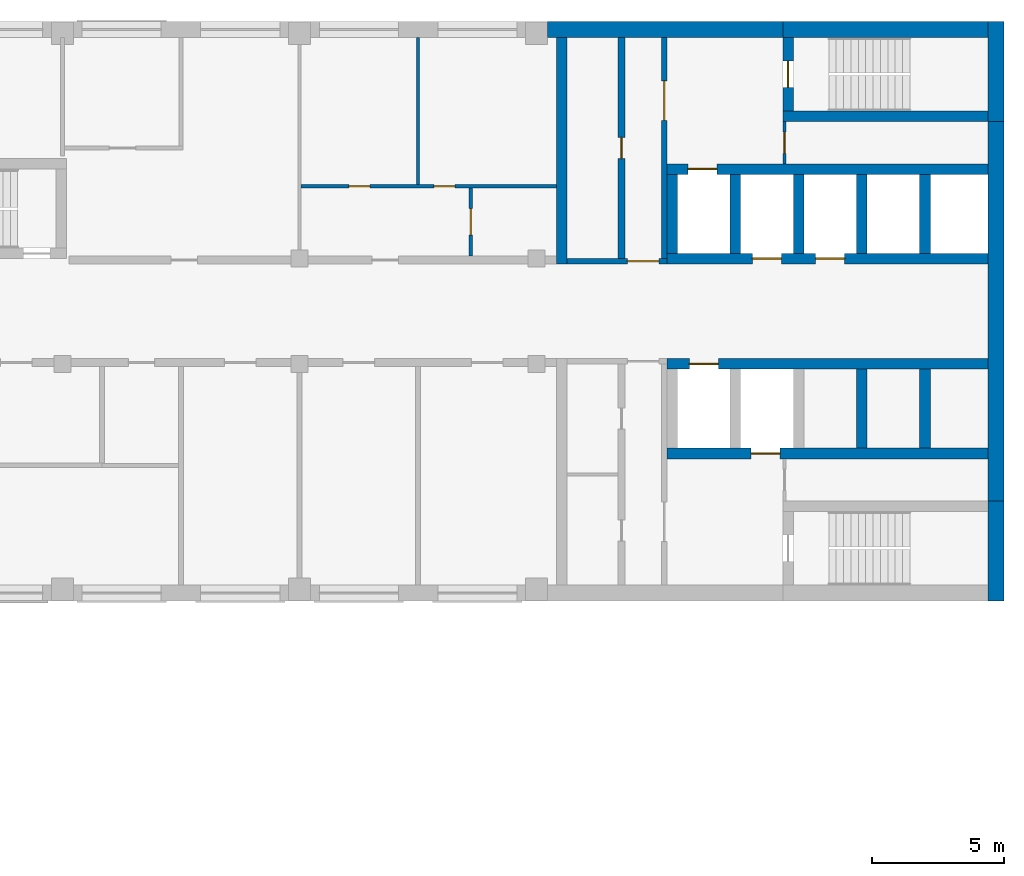
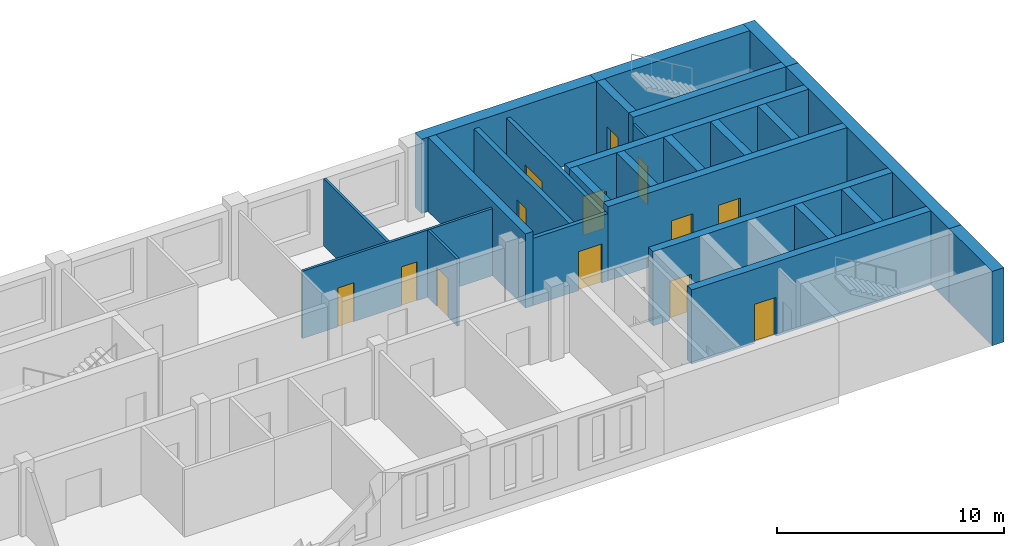
# One storey, part 6 of 8: 26 walls, 13 doors, 13 openings.
"""IFC4 building model written with IfcOpenShell, lengths in metres."""

from ifc_helpers import new_model, si_unit, direction, frame, frame_2d, origin, place, context, subcontext, project, spatial, rectangle, extrude, material, layer, layer_set, type_object, element, fill, save


model = new_model("IFC4")

# Units and contexts
model_context = context("Model", 3, precision=1e-05, world=origin(), true_north=direction((0.0, 1.0)))
body_context = subcontext(model_context, "Body", "Model", "MODEL_VIEW")
ifc_project = project(units=[si_unit("LENGTHUNIT", "METRE"), si_unit("AREAUNIT", "SQUARE_METRE"), si_unit("VOLUMEUNIT", "CUBIC_METRE"), si_unit("PLANEANGLEUNIT", "RADIAN"), si_unit("MASSUNIT", "GRAM", prefix="KILO")], contexts=[model_context])

# Site, building, storey
site_placement = place(None, origin())
site = spatial("IfcSite", under=ifc_project, at=site_placement, CompositionType="ELEMENT")
building_placement = place(site_placement, origin())
building = spatial("IfcBuilding", under=site, at=building_placement, Name="Skarvind Civic Tower", CompositionType="ELEMENT")
storey_placement = place(building_placement, frame((0.0, 0.0, 125.0)))
storey = spatial("IfcBuildingStorey", under=building, at=storey_placement, Name="L29", CompositionType="ELEMENT", Elevation=125.0)

# Wall, opening, door
ifc_material_1 = material(Name="Fire-rated masonry partition", Category="masonry")
ifc_layer_1 = layer(ifc_material_1, 0.199951171875)
ifc_layer_set_1 = layer_set([ifc_layer_1], Name="Core enclosure wall 200")
wall_type_1 = type_object("IfcWallType", Name="Core enclosure wall 200", PredefinedType="PARTITIONING", material=ifc_layer_set_1)
wall_1_placement = place(storey_placement, frame((91.39990234375, 129.89990234375, 0.0), z_axis=(0.0, 0.0, 1.0), x_axis=(1.0, 0.0, 0.0)))
wall_1 = element("IfcWall", 1, at=wall_1_placement, inside=storey, type_object=wall_type_1, Name="Core wall C1", PredefinedType="PARTITIONING", context=body_context, shape_type="SweptSolid", body=[
    extrude(rectangle(XDim=3.800048828125, YDim=0.199951171875, at=frame_2d((1.89990234375, 0.0))), origin(), (0.0, 0.0, 1.0), 3.625),
])
opening_1_placement = place(wall_1_placement, frame((2.300048828125, 0.0, 0.0)))
opening_1 = element("IfcOpeningElement", 2, at=opening_1_placement, cuts=wall_1, Name="Opening D-L29-C1-10", PredefinedType="OPENING", context=body_context, shape_type="SweptSolid", body=[
    extrude(rectangle(XDim=1.199951171875, YDim=2.10009765625, at=frame_2d((0.60009765625, 1.050048828125))), frame((0.0, 0.10986328125, 0.0), z_axis=(0.0, -1.0, 0.0), x_axis=(1.0, 0.0, 0.0)), (0.0, 0.0, 1.0), 0.219970703125),
])
ifc_material_2 = material(Name="Fire-rated steel door", Category="steel")
door_type_1 = type_object("IfcDoorType", Name="Core lobby door 1200", OperationType="NOTDEFINED", PredefinedType="DOOR", material=ifc_material_2)
door_1_placement = place(opening_1_placement, origin())
door_1 = element("IfcDoor", 3, at=door_1_placement, inside=storey, type_object=door_type_1, Name="Fire door", OperationType="DOUBLE_DOOR_SINGLE_SWING", OverallHeight=2.10009765625, OverallWidth=1.199951171875, PredefinedType="DOOR", context=body_context, shape_type="SweptSolid", body=[
    extrude(rectangle(XDim=1.199951171875, YDim=2.10009765625, at=frame_2d((0.60009765625, 1.050048828125))), frame((0.0, 0.02490234375, 0.0), z_axis=(0.0, -1.0, 0.0), x_axis=(1.0, 0.0, 0.0)), (0.0, 0.0, 1.0), 0.050048828125),
])
fill(opening_1, door_1)

wall_2_placement = place(storey_placement, frame((95.10009765625, 130.0, 0.0), z_axis=(0.0, 0.0, 1.0), x_axis=(0.0, 1.0, 0.0)))
wall_2 = element("IfcWall", 4, at=wall_2_placement, inside=storey, type_object=wall_type_1, Name="Core wall C1", PredefinedType="PARTITIONING", context=body_context, shape_type="SweptSolid", body=[
    extrude(rectangle(XDim=8.39990234375, YDim=0.199951171875, at=frame_2d((4.199951171875, 0.0))), origin(), (0.0, 0.0, 1.0), 3.625),
])
opening_2_placement = place(wall_2_placement, frame((5.25, 0.0, 0.0)))
opening_2 = element("IfcOpeningElement", 5, at=opening_2_placement, cuts=wall_2, Name="Opening D-L29-C1-11", PredefinedType="OPENING", context=body_context, shape_type="SweptSolid", body=[
    extrude(rectangle(XDim=1.5, YDim=2.10009765625, at=frame_2d((0.75, 1.050048828125))), frame((0.0, 0.10986328125, 0.0), z_axis=(0.0, -1.0, 0.0), x_axis=(1.0, 0.0, 0.0)), (0.0, 0.0, 1.0), 0.219970703125),
])
door_type_2 = type_object("IfcDoorType", Name="Fire door 1500", OperationType="NOTDEFINED", PredefinedType="DOOR", material=ifc_material_2)
door_2_placement = place(opening_2_placement, origin())
door_2 = element("IfcDoor", 6, at=door_2_placement, inside=storey, type_object=door_type_2, Name="Fire door", OperationType="DOUBLE_DOOR_SINGLE_SWING", OverallHeight=2.10009765625, OverallWidth=1.5, PredefinedType="DOOR", context=body_context, shape_type="SweptSolid", body=[
    extrude(rectangle(XDim=1.5, YDim=2.10009765625, at=frame_2d((0.75, 1.050048828125))), frame((0.0, 0.02490234375, 0.0), z_axis=(0.0, -1.0, 0.0), x_axis=(1.0, 0.0, 0.0)), (0.0, 0.0, 1.0), 0.050048828125),
])
fill(opening_2, door_2)

# Wall
ifc_material_3 = material(Name="Concrete C80", Category="concrete")
ifc_layer_2 = layer(ifc_material_3, 0.39990234375)
ifc_layer_set_2 = layer_set([ifc_layer_2], Name="Core wall 400 C80")
wall_type_2 = type_object("IfcWallType", Name="Core wall 400 C80", PredefinedType="SHEAR", material=ifc_layer_set_2)
wall_3_placement = place(storey_placement, frame((107.39990234375, 135.39990234375, 0.0), z_axis=(0.0, 0.0, 1.0), x_axis=(-1.0, 0.0, 0.0)))
element("IfcWall", 7, at=wall_3_placement, inside=storey, type_object=wall_type_2, Name="Core wall C1 south stair inner L29", PredefinedType="SHEAR", context=body_context, shape_type="SweptSolid", body=[
    extrude(rectangle(XDim=7.7998046875, YDim=0.39990234375, at=frame_2d((3.89990234375, 0.0))), origin(), (0.0, 0.0, 1.0), 4.0),
])

# Wall, opening, door
wall_4_placement = place(storey_placement, frame((99.800048828125, 138.39990234375, 0.0), z_axis=(0.0, 0.0, 1.0), x_axis=(0.0, -1.0, 0.0)))
wall_4 = element("IfcWall", 8, at=wall_4_placement, inside=storey, type_object=wall_type_2, Name="Core wall C1 south stair end L29", PredefinedType="SHEAR", context=body_context, shape_type="SweptSolid", body=[
    extrude(rectangle(XDim=2.7998046875, YDim=0.39990234375, at=frame_2d((1.39990234375, 0.0))), origin(), (0.0, 0.0, 1.0), 4.0),
])
opening_3_placement = place(wall_4_placement, frame((0.89990234375, 0.0, 0.0)))
opening_3 = element("IfcOpeningElement", 9, at=opening_3_placement, cuts=wall_4, Name="Opening D-L29-C1-12", PredefinedType="OPENING", context=body_context, shape_type="SweptSolid", body=[
    extrude(rectangle(XDim=1.0, YDim=2.10009765625, at=frame_2d((0.5, 1.050048828125))), frame((0.0, 0.2099609375, 0.0), z_axis=(0.0, -1.0, 0.0), x_axis=(1.0, 0.0, 0.0)), (0.0, 0.0, 1.0), 0.419921875),
])
door_type_3 = type_object("IfcDoorType", Name="Fire door 1000", OperationType="NOTDEFINED", PredefinedType="DOOR", material=ifc_material_2)
door_3_placement = place(opening_3_placement, origin())
door_3 = element("IfcDoor", 10, at=door_3_placement, inside=storey, type_object=door_type_3, Name="Fire door", OperationType="SINGLE_SWING_RIGHT", OverallHeight=2.10009765625, OverallWidth=1.0, PredefinedType="DOOR", context=body_context, shape_type="SweptSolid", body=[
    extrude(rectangle(XDim=1.0, YDim=2.10009765625, at=frame_2d((0.5, 1.050048828125))), frame((0.0, 0.02490234375, 0.0), z_axis=(0.0, -1.0, 0.0), x_axis=(1.0, 0.0, 0.0)), (0.0, 0.0, 1.0), 0.050048828125),
])
fill(opening_3, door_3)

# Wall, openings, doors
wall_5_placement = place(storey_placement, frame((107.39990234375, 130.0, 0.0), z_axis=(0.0, 0.0, 1.0), x_axis=(-1.0, 0.0, 0.0)))
wall_5 = element("IfcWall", 11, at=wall_5_placement, inside=storey, type_object=wall_type_2, Name="Core wall C1 south lift row front L29", PredefinedType="SHEAR", context=body_context, shape_type="SweptSolid", body=[
    extrude(rectangle(XDim=12.199951171875, YDim=0.39990234375, at=frame_2d((6.10009765625, 0.0))), origin(), (0.0, 0.0, 1.0), 4.0),
])
opening_4_placement = place(wall_5_placement, frame((5.449951171875, 0.0, 0.0)))
opening_4 = element("IfcOpeningElement", 12, at=opening_4_placement, cuts=wall_5, Name="Opening LD31108", PredefinedType="OPENING", context=body_context, shape_type="SweptSolid", body=[
    extrude(rectangle(XDim=1.10009765625, YDim=2.10009765625, at=frame_2d((0.550048828125, 1.050048828125))), frame((0.0, 0.2099609375, 0.0), z_axis=(0.0, -1.0, 0.0), x_axis=(1.0, 0.0, 0.0)), (0.0, 0.0, 1.0), 0.419921875),
])
opening_5_placement = place(wall_5_placement, frame((7.85009765625, 0.0, 0.0)))
opening_5 = element("IfcOpeningElement", 13, at=opening_5_placement, cuts=wall_5, Name="Opening LD31109", PredefinedType="OPENING", context=body_context, shape_type="SweptSolid", body=[
    extrude(rectangle(XDim=1.10009765625, YDim=2.10009765625, at=frame_2d((0.550048828125, 1.050048828125))), frame((0.0, 0.2099609375, 0.0), z_axis=(0.0, -1.0, 0.0), x_axis=(1.0, 0.0, 0.0)), (0.0, 0.0, 1.0), 0.419921875),
])
ifc_material_4 = material(Name="Stainless steel landing door", Category="steel")
door_type_4 = type_object("IfcDoorType", Name="Lift landing door 1100", OperationType="DOUBLE_DOOR_SLIDING", PredefinedType="DOOR", material=ifc_material_4)
door_4_placement = place(opening_4_placement, origin())
door_4 = element("IfcDoor", 14, at=door_4_placement, inside=storey, type_object=door_type_4, Name="Lift landing door", OperationType="DOUBLE_DOOR_SLIDING", OverallHeight=2.10009765625, OverallWidth=1.10009765625, PredefinedType="DOOR", context=body_context, shape_type="SweptSolid", body=[
    extrude(rectangle(XDim=1.10009765625, YDim=2.10009765625, at=frame_2d((0.550048828125, 1.050048828125))), frame((0.0, 0.02490234375, 0.0), z_axis=(0.0, -1.0, 0.0), x_axis=(1.0, 0.0, 0.0)), (0.0, 0.0, 1.0), 0.050048828125),
])
fill(opening_4, door_4)
door_5_placement = place(opening_5_placement, origin())
door_5 = element("IfcDoor", 15, at=door_5_placement, inside=storey, type_object=door_type_4, Name="Lift landing door", OperationType="DOUBLE_DOOR_SLIDING", OverallHeight=2.10009765625, OverallWidth=1.10009765625, PredefinedType="DOOR", context=body_context, shape_type="SweptSolid", body=[
    extrude(rectangle(XDim=1.10009765625, YDim=2.10009765625, at=frame_2d((0.550048828125, 1.050048828125))), frame((0.0, 0.02490234375, 0.0), z_axis=(0.0, -1.0, 0.0), x_axis=(1.0, 0.0, 0.0)), (0.0, 0.0, 1.0), 0.050048828125),
])
fill(opening_5, door_5)

# Wall, opening, door
wall_6_placement = place(storey_placement, frame((107.39990234375, 133.39990234375, 0.0), z_axis=(0.0, 0.0, 1.0), x_axis=(-1.0, 0.0, 0.0)))
wall_6 = element("IfcWall", 16, at=wall_6_placement, inside=storey, type_object=wall_type_2, Name="Core wall C1 south lift row back L29", PredefinedType="SHEAR", context=body_context, shape_type="SweptSolid", body=[
    extrude(rectangle(XDim=12.199951171875, YDim=0.39990234375, at=frame_2d((6.10009765625, 0.0))), origin(), (0.0, 0.0, 1.0), 4.0),
])
opening_6_placement = place(wall_6_placement, frame((10.300048828125, 0.0, 0.0)))
opening_6 = element("IfcOpeningElement", 17, at=opening_6_placement, cuts=wall_6, Name="Opening LD31110", PredefinedType="OPENING", context=body_context, shape_type="SweptSolid", body=[
    extrude(rectangle(XDim=1.10009765625, YDim=2.10009765625, at=frame_2d((0.550048828125, 1.050048828125))), frame((0.0, 0.2099609375, 0.0), z_axis=(0.0, -1.0, 0.0), x_axis=(1.0, 0.0, 0.0)), (0.0, 0.0, 1.0), 0.419921875),
])
door_6_placement = place(opening_6_placement, origin())
door_6 = element("IfcDoor", 18, at=door_6_placement, inside=storey, type_object=door_type_4, Name="Lift landing door", OperationType="DOUBLE_DOOR_SLIDING", OverallHeight=2.10009765625, OverallWidth=1.10009765625, PredefinedType="DOOR", context=body_context, shape_type="SweptSolid", body=[
    extrude(rectangle(XDim=1.10009765625, YDim=2.10009765625, at=frame_2d((0.550048828125, 1.050048828125))), frame((0.0, 0.02490234375, 0.0), z_axis=(0.0, -1.0, 0.0), x_axis=(1.0, 0.0, 0.0)), (0.0, 0.0, 1.0), 0.050048828125),
])
fill(opening_6, door_6)

# Walls
for number, where, z_axis, x_axis, name in (
    (19, (105.0, 133.199951171875, 0.0), (0.0, 0.0, 1.0), (0.0, -1.0, 0.0), "Core wall C1 south lift row division 1 L29"),
    (20, (102.60009765625, 133.199951171875, 0.0), (0.0, 0.0, 1.0), (0.0, -1.0, 0.0), "Core wall C1 south lift row division 2 L29"),
    (21, (100.199951171875, 133.199951171875, 0.0), (0.0, 0.0, 1.0), (0.0, -1.0, 0.0), "Core wall C1 south lift row division 3 L29"),
    (22, (97.800048828125, 133.199951171875, 0.0), (0.0, 0.0, 1.0), (0.0, -1.0, 0.0), "Core wall C1 south lift row division 4 L29"),
    (23, (95.39990234375, 133.199951171875, 0.0), (0.0, 0.0, 1.0), (0.0, -1.0, 0.0), "Core wall C1 south lift row division 5 L29"),
):
    element("IfcWall", number, at=place(storey_placement, frame(where, z_axis=z_axis, x_axis=x_axis)), inside=storey, type_object=wall_type_2, Name=name, PredefinedType="SHEAR", context=body_context, shape_type="SweptSolid", body=[
        extrude(rectangle(XDim=3.0, YDim=0.39990234375, at=frame_2d((1.5, 0.0))), origin(), (0.0, 0.0, 1.0), 4.0),
    ])

# Wall, opening, door
wall_7_placement = place(storey_placement, frame((107.39990234375, 126.0, 0.0), z_axis=(0.0, 0.0, 1.0), x_axis=(-1.0, 0.0, 0.0)))
wall_7 = element("IfcWall", 24, at=wall_7_placement, inside=storey, type_object=wall_type_2, Name="Core wall C1 north lift row front L29", PredefinedType="SHEAR", context=body_context, shape_type="SweptSolid", body=[
    extrude(rectangle(XDim=12.199951171875, YDim=0.39990234375, at=frame_2d((6.10009765625, 0.0))), origin(), (0.0, 0.0, 1.0), 4.0),
])
opening_7_placement = place(wall_7_placement, frame((10.25, 0.0, 0.0)))
opening_7 = element("IfcOpeningElement", 25, at=opening_7_placement, cuts=wall_7, Name="Opening LD31105", PredefinedType="OPENING", context=body_context, shape_type="SweptSolid", body=[
    extrude(rectangle(XDim=1.10009765625, YDim=2.10009765625, at=frame_2d((0.550048828125, 1.050048828125))), frame((0.0, 0.2099609375, 0.0), z_axis=(0.0, -1.0, 0.0), x_axis=(1.0, 0.0, 0.0)), (0.0, 0.0, 1.0), 0.419921875),
])
door_7_placement = place(opening_7_placement, origin())
door_7 = element("IfcDoor", 26, at=door_7_placement, inside=storey, type_object=door_type_4, Name="Lift landing door", OperationType="DOUBLE_DOOR_SLIDING", OverallHeight=2.10009765625, OverallWidth=1.10009765625, PredefinedType="DOOR", context=body_context, shape_type="SweptSolid", body=[
    extrude(rectangle(XDim=1.10009765625, YDim=2.10009765625, at=frame_2d((0.550048828125, 1.050048828125))), frame((0.0, 0.02490234375, 0.0), z_axis=(0.0, -1.0, 0.0), x_axis=(1.0, 0.0, 0.0)), (0.0, 0.0, 1.0), 0.050048828125),
])
fill(opening_7, door_7)

wall_8_placement = place(storey_placement, frame((107.39990234375, 122.60009765625, 0.0), z_axis=(0.0, 0.0, 1.0), x_axis=(-1.0, 0.0, 0.0)))
wall_8 = element("IfcWall", 27, at=wall_8_placement, inside=storey, type_object=wall_type_2, Name="Core wall C1 north lift row back L29", PredefinedType="SHEAR", context=body_context, shape_type="SweptSolid", body=[
    extrude(rectangle(XDim=12.199951171875, YDim=0.39990234375, at=frame_2d((6.10009765625, 0.0))), origin(), (0.0, 0.0, 1.0), 4.0),
])
opening_8_placement = place(wall_8_placement, frame((7.89990234375, 0.0, 0.0)))
opening_8 = element("IfcOpeningElement", 28, at=opening_8_placement, cuts=wall_8, Name="Opening LD31104", PredefinedType="OPENING", context=body_context, shape_type="SweptSolid", body=[
    extrude(rectangle(XDim=1.10009765625, YDim=2.10009765625, at=frame_2d((0.550048828125, 1.050048828125))), frame((0.0, 0.2099609375, 0.0), z_axis=(0.0, -1.0, 0.0), x_axis=(1.0, 0.0, 0.0)), (0.0, 0.0, 1.0), 0.419921875),
])
door_8_placement = place(opening_8_placement, origin())
door_8 = element("IfcDoor", 29, at=door_8_placement, inside=storey, type_object=door_type_4, Name="Lift landing door", OperationType="DOUBLE_DOOR_SLIDING", OverallHeight=2.10009765625, OverallWidth=1.10009765625, PredefinedType="DOOR", context=body_context, shape_type="SweptSolid", body=[
    extrude(rectangle(XDim=1.10009765625, YDim=2.10009765625, at=frame_2d((0.550048828125, 1.050048828125))), frame((0.0, 0.02490234375, 0.0), z_axis=(0.0, -1.0, 0.0), x_axis=(1.0, 0.0, 0.0)), (0.0, 0.0, 1.0), 0.050048828125),
])
fill(opening_8, door_8)

# Walls
for number, where, z_axis, x_axis, name in (
    (30, (105.0, 125.800048828125, 0.0), (0.0, 0.0, 1.0), (0.0, -1.0, 0.0), "Core wall C1 north lift row division 1 L29"),
    (31, (102.60009765625, 125.800048828125, 0.0), (0.0, 0.0, 1.0), (0.0, -1.0, 0.0), "Core wall C1 north lift row division 2 L29"),
):
    element("IfcWall", number, at=place(storey_placement, frame(where, z_axis=z_axis, x_axis=x_axis)), inside=storey, type_object=wall_type_2, Name=name, PredefinedType="SHEAR", context=body_context, shape_type="SweptSolid", body=[
        extrude(rectangle(XDim=3.0, YDim=0.39990234375, at=frame_2d((1.5, 0.0))), origin(), (0.0, 0.0, 1.0), 4.0),
    ])
wall_9_placement = place(storey_placement, frame((91.199951171875, 138.39990234375, 0.0), z_axis=(0.0, 0.0, 1.0), x_axis=(0.0, -1.0, 0.0)))
element("IfcWall", 32, at=wall_9_placement, inside=storey, type_object=wall_type_2, Name="Core wall C1 south inner face L29", PredefinedType="SHEAR", context=body_context, shape_type="SweptSolid", body=[
    extrude(rectangle(XDim=8.599853515625, YDim=0.39990234375, at=frame_2d((4.2998046875, 0.0))), origin(), (0.0, 0.0, 1.0), 4.0),
])
ifc_layer_3 = layer(ifc_material_3, 0.60009765625)
ifc_layer_set_3 = layer_set([ifc_layer_3], Name="Core wall 600 C80")
wall_type_3 = type_object("IfcWallType", Name="Core wall 600 C80", PredefinedType="SHEAR", material=ifc_layer_set_3)
wall_10_placement = place(storey_placement, frame((107.699951171875, 139.0, 0.0), z_axis=(0.0, 0.0, 1.0), x_axis=(0.0, -1.0, 0.0)))
element("IfcWall", 33, at=wall_10_placement, inside=storey, type_object=wall_type_3, Name="Core wall C1 tip at the south stair L29", PredefinedType="SHEAR", context=body_context, shape_type="SweptSolid", body=[
    extrude(rectangle(XDim=3.800048828125, YDim=0.60009765625, at=frame_2d((1.89990234375, 0.0))), origin(), (0.0, 0.0, 1.0), 4.0),
])
wall_11_placement = place(storey_placement, frame((107.699951171875, 135.199951171875, 0.0), z_axis=(0.0, 0.0, 1.0), x_axis=(0.0, -1.0, 0.0)))
element("IfcWall", 34, at=wall_11_placement, inside=storey, type_object=wall_type_3, Name="Core wall C1 tip between the stairs L29", PredefinedType="SHEAR", context=body_context, shape_type="SweptSolid", body=[
    extrude(rectangle(XDim=14.39990234375, YDim=0.60009765625, at=frame_2d((7.199951171875, 0.0))), origin(), (0.0, 0.0, 1.0), 4.0),
])
wall_12_placement = place(storey_placement, frame((107.699951171875, 120.800048828125, 0.0), z_axis=(0.0, 0.0, 1.0), x_axis=(0.0, -1.0, 0.0)))
element("IfcWall", 35, at=wall_12_placement, inside=storey, type_object=wall_type_3, Name="Core wall C1 tip at the north stair L29", PredefinedType="SHEAR", context=body_context, shape_type="SweptSolid", body=[
    extrude(rectangle(XDim=3.800048828125, YDim=0.60009765625, at=frame_2d((1.89990234375, 0.0))), origin(), (0.0, 0.0, 1.0), 4.0),
])
wall_13_placement = place(storey_placement, frame((107.39990234375, 138.699951171875, 0.0), z_axis=(0.0, 0.0, 1.0), x_axis=(-1.0, 0.0, 0.0)))
element("IfcWall", 36, at=wall_13_placement, inside=storey, type_object=wall_type_3, Name="Core wall C1 south side at the stair L29", PredefinedType="SHEAR", context=body_context, shape_type="SweptSolid", body=[
    extrude(rectangle(XDim=7.7998046875, YDim=0.60009765625, at=frame_2d((3.89990234375, 0.0))), origin(), (0.0, 0.0, 1.0), 4.0),
])
wall_14_placement = place(storey_placement, frame((99.60009765625, 138.699951171875, 0.0), z_axis=(0.0, 0.0, 1.0), x_axis=(-1.0, 0.0, 0.0)))
element("IfcWall", 37, at=wall_14_placement, inside=storey, type_object=wall_type_3, Name="Core wall C1 south side L29", PredefinedType="SHEAR", context=body_context, shape_type="SweptSolid", body=[
    extrude(rectangle(XDim=8.925048828125, YDim=0.60009765625, at=frame_2d((4.46240234375, 0.0))), origin(), (0.0, 0.0, 1.0), 4.0),
])

# Wall, opening, door
ifc_layer_4 = layer(ifc_material_1, 0.125)
ifc_layer_set_4 = layer_set([ifc_layer_4], Name="Riser wall 125")
wall_type_4 = type_object("IfcWallType", Name="Riser wall 125", PredefinedType="PARTITIONING", material=ifc_layer_set_4)
wall_15_placement = place(storey_placement, frame((99.66259765625, 133.60009765625, 0.0), z_axis=(0.0, 0.0, 1.0), x_axis=(0.0, 1.0, 0.0)))
wall_15 = element("IfcWall", 38, at=wall_15_placement, inside=storey, type_object=wall_type_4, Name="Core wall C1", PredefinedType="PARTITIONING", context=body_context, shape_type="SweptSolid", body=[
    extrude(rectangle(XDim=1.599853515625, YDim=0.125, at=frame_2d((0.7998046875, 0.0))), origin(), (0.0, 0.0, 1.0), 3.625),
])
opening_9_placement = place(wall_15_placement, frame((0.39990234375, 0.0, 0.0)))
opening_9 = element("IfcOpeningElement", 39, at=opening_9_placement, cuts=wall_15, Name="Opening D-L29-C1-13", PredefinedType="OPENING", context=body_context, shape_type="SweptSolid", body=[
    extrude(rectangle(XDim=0.800048828125, YDim=2.10009765625, at=frame_2d((0.39990234375, 1.050048828125))), frame((0.0, 0.072509765625, 0.0), z_axis=(0.0, -1.0, 0.0), x_axis=(1.0, 0.0, 0.0)), (0.0, 0.0, 1.0), 0.14501953125),
])
door_type_5 = type_object("IfcDoorType", Name="Core riser door 800", OperationType="NOTDEFINED", PredefinedType="DOOR", material=ifc_material_2)
door_9_placement = place(opening_9_placement, origin())
door_9 = element("IfcDoor", 40, at=door_9_placement, inside=storey, type_object=door_type_5, Name="Riser door", OperationType="SINGLE_SWING_LEFT", OverallHeight=2.10009765625, OverallWidth=0.800048828125, PredefinedType="DOOR", context=body_context, shape_type="SweptSolid", body=[
    extrude(rectangle(XDim=0.800048828125, YDim=2.10009765625, at=frame_2d((0.39990234375, 1.050048828125))), frame((0.0, 0.02490234375, 0.0), z_axis=(0.0, -1.0, 0.0), x_axis=(1.0, 0.0, 0.0)), (0.0, 0.0, 1.0), 0.050048828125),
])
fill(opening_9, door_9)

ifc_layer_5 = layer(ifc_material_1, 0.25)
ifc_layer_set_5 = layer_set([ifc_layer_5], Name="Service block wall 250")
wall_type_5 = type_object("IfcWallType", Name="Service block wall 250", PredefinedType="PARTITIONING", material=ifc_layer_set_5)
wall_16_placement = place(storey_placement, frame((93.47509765625, 130.0, 0.0), z_axis=(0.0, 0.0, 1.0), x_axis=(0.0, 1.0, 0.0)))
wall_16 = element("IfcWall", 41, at=wall_16_placement, inside=storey, type_object=wall_type_5, Name="Core wall C1", PredefinedType="PARTITIONING", context=body_context, shape_type="SweptSolid", body=[
    extrude(rectangle(XDim=8.39990234375, YDim=0.25, at=frame_2d((4.199951171875, 0.0))), origin(), (0.0, 0.0, 1.0), 3.625),
])
opening_10_placement = place(wall_16_placement, frame((3.800048828125, 0.0, 0.0)))
opening_10 = element("IfcOpeningElement", 42, at=opening_10_placement, cuts=wall_16, Name="Opening D-L29-C1-14", PredefinedType="OPENING", context=body_context, shape_type="SweptSolid", body=[
    extrude(rectangle(XDim=0.800048828125, YDim=2.10009765625, at=frame_2d((0.39990234375, 1.050048828125))), frame((0.0, 0.135009765625, 0.0), z_axis=(0.0, -1.0, 0.0), x_axis=(1.0, 0.0, 0.0)), (0.0, 0.0, 1.0), 0.27001953125),
])
door_10_placement = place(opening_10_placement, origin())
door_10 = element("IfcDoor", 43, at=door_10_placement, inside=storey, type_object=door_type_5, Name="Riser door", OperationType="SINGLE_SWING_RIGHT", OverallHeight=2.10009765625, OverallWidth=0.800048828125, PredefinedType="DOOR", context=body_context, shape_type="SweptSolid", body=[
    extrude(rectangle(XDim=0.800048828125, YDim=2.10009765625, at=frame_2d((0.39990234375, 1.050048828125))), frame((0.0, 0.02490234375, 0.0), z_axis=(0.0, -1.0, 0.0), x_axis=(1.0, 0.0, 0.0)), (0.0, 0.0, 1.0), 0.050048828125),
])
fill(opening_10, door_10)

# Wall, openings, doors
ifc_material_5 = material(Name="Moisture-resistant gypsum board on steel studs", Category="steel")
ifc_layer_6 = layer(ifc_material_5, 0.125)
ifc_layer_set_6 = layer_set([ifc_layer_6], Name="WC PARTITION 125")
wall_type_6 = type_object("IfcWallType", Name="WC PARTITION 125", PredefinedType="PARTITIONING", material=ifc_layer_set_6)
wall_17_placement = place(storey_placement, frame((81.31201171875, 132.75, 0.0), z_axis=(0.0, 0.0, 1.0), x_axis=(1.0, 0.0, 0.0)))
wall_17 = element("IfcWall", 44, at=wall_17_placement, inside=storey, type_object=wall_type_6, Name="Partition 29.034", PredefinedType="PARTITIONING", context=body_context, shape_type="SweptSolid", body=[
    extrude(rectangle(XDim=9.68798828125, YDim=0.125, at=frame_2d((4.843994140625, 0.0))), origin(), (0.0, 0.0, 1.0), 3.625),
])
opening_11_placement = place(wall_17_placement, frame((1.80908203125, 0.0, 0.0)))
opening_11 = element("IfcOpeningElement", 45, at=opening_11_placement, cuts=wall_17, Name="Opening L29-D003", PredefinedType="OPENING", context=body_context, shape_type="SweptSolid", body=[
    extrude(rectangle(XDim=0.800048828125, YDim=2.10009765625, at=frame_2d((0.39990234375, 1.050048828125))), frame((0.0, 0.072509765625, 0.0), z_axis=(0.0, -1.0, 0.0), x_axis=(1.0, 0.0, 0.0)), (0.0, 0.0, 1.0), 0.14501953125),
])
opening_12_placement = place(wall_17_placement, frame((5.03955078125, 0.0, 0.0)))
opening_12 = element("IfcOpeningElement", 46, at=opening_12_placement, cuts=wall_17, Name="Opening L29-D004", PredefinedType="OPENING", context=body_context, shape_type="SweptSolid", body=[
    extrude(rectangle(XDim=0.800048828125, YDim=2.10009765625, at=frame_2d((0.39990234375, 1.050048828125))), frame((0.0, 0.072509765625, 0.0), z_axis=(0.0, -1.0, 0.0), x_axis=(1.0, 0.0, 0.0)), (0.0, 0.0, 1.0), 0.14501953125),
])
ifc_material_6 = material(Name="Timber door leaf", Category="wood")
door_type_6 = type_object("IfcDoorType", Name="DOOR 800X2100 TIMBER", OperationType="NOTDEFINED", PredefinedType="DOOR", material=ifc_material_6)
door_11_placement = place(opening_11_placement, origin())
door_11 = element("IfcDoor", 47, at=door_11_placement, inside=storey, type_object=door_type_6, Name="Door L29-D003", OperationType="SINGLE_SWING_LEFT", OverallHeight=2.10009765625, OverallWidth=0.800048828125, PredefinedType="DOOR", context=body_context, shape_type="SweptSolid", body=[
    extrude(rectangle(XDim=0.800048828125, YDim=2.10009765625, at=frame_2d((0.39990234375, 1.050048828125))), frame((0.0, 0.02490234375, 0.0), z_axis=(0.0, -1.0, 0.0), x_axis=(1.0, 0.0, 0.0)), (0.0, 0.0, 1.0), 0.050048828125),
])
fill(opening_11, door_11)
door_12_placement = place(opening_12_placement, origin())
door_12 = element("IfcDoor", 48, at=door_12_placement, inside=storey, type_object=door_type_6, Name="Door L29-D004", OperationType="SINGLE_SWING_LEFT", OverallHeight=2.10009765625, OverallWidth=0.800048828125, PredefinedType="DOOR", context=body_context, shape_type="SweptSolid", body=[
    extrude(rectangle(XDim=0.800048828125, YDim=2.10009765625, at=frame_2d((0.39990234375, 1.050048828125))), frame((0.0, 0.02490234375, 0.0), z_axis=(0.0, -1.0, 0.0), x_axis=(1.0, 0.0, 0.0)), (0.0, 0.0, 1.0), 0.050048828125),
])
fill(opening_12, door_12)

# Wall
wall_18_placement = place(storey_placement, frame((85.75, 132.81201171875, 0.0), z_axis=(0.0, 0.0, 1.0), x_axis=(0.0, 1.0, 0.0)))
element("IfcWall", 49, at=wall_18_placement, inside=storey, type_object=wall_type_6, Name="Partition 29.036", PredefinedType="PARTITIONING", context=body_context, shape_type="SweptSolid", body=[
    extrude(rectangle(XDim=5.587890625, YDim=0.125, at=frame_2d((2.7939453125, 0.0))), origin(), (0.0, 0.0, 1.0), 3.625),
])

# Wall, opening, door
wall_19_placement = place(storey_placement, frame((87.75, 132.68798828125, 0.0), z_axis=(0.0, 0.0, 1.0), x_axis=(0.0, -1.0, 0.0)))
wall_19 = element("IfcWall", 50, at=wall_19_placement, inside=storey, type_object=wall_type_6, Name="Partition 29.037", PredefinedType="PARTITIONING", context=body_context, shape_type="SweptSolid", body=[
    extrude(rectangle(XDim=2.587890625, YDim=0.125, at=frame_2d((1.2939453125, 0.0))), origin(), (0.0, 0.0, 1.0), 3.625),
])
opening_13_placement = place(wall_19_placement, frame((0.7939453125, 0.0, 0.0)))
opening_13 = element("IfcOpeningElement", 51, at=opening_13_placement, cuts=wall_19, Name="Opening L29-D002", PredefinedType="OPENING", context=body_context, shape_type="SweptSolid", body=[
    extrude(rectangle(XDim=1.0, YDim=2.10009765625, at=frame_2d((0.5, 1.050048828125))), frame((0.0, 0.072509765625, 0.0), z_axis=(0.0, -1.0, 0.0), x_axis=(1.0, 0.0, 0.0)), (0.0, 0.0, 1.0), 0.14501953125),
])
door_type_7 = type_object("IfcDoorType", Name="D1 1000x2100", OperationType="NOTDEFINED", PredefinedType="DOOR", material=ifc_material_6)
door_13_placement = place(opening_13_placement, origin())
door_13 = element("IfcDoor", 52, at=door_13_placement, inside=storey, type_object=door_type_7, Name="Door L29-D002", OperationType="SINGLE_SWING_RIGHT", OverallHeight=2.10009765625, OverallWidth=1.0, PredefinedType="DOOR", context=body_context, shape_type="SweptSolid", body=[
    extrude(rectangle(XDim=1.0, YDim=2.10009765625, at=frame_2d((0.5, 1.050048828125))), frame((0.0, 0.02490234375, 0.0), z_axis=(0.0, -1.0, 0.0), x_axis=(1.0, 0.0, 0.0)), (0.0, 0.0, 1.0), 0.050048828125),
])
fill(opening_13, door_13)

save(model, "model.ifc")
